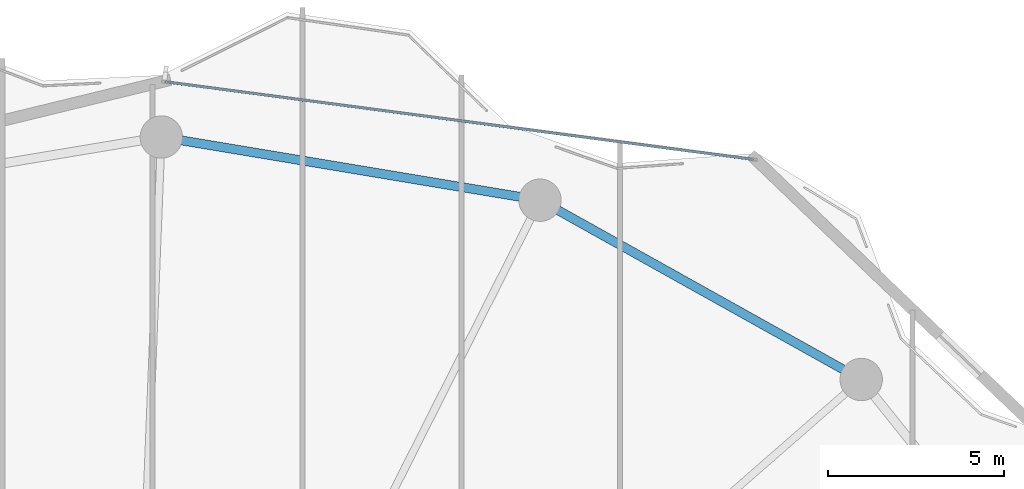
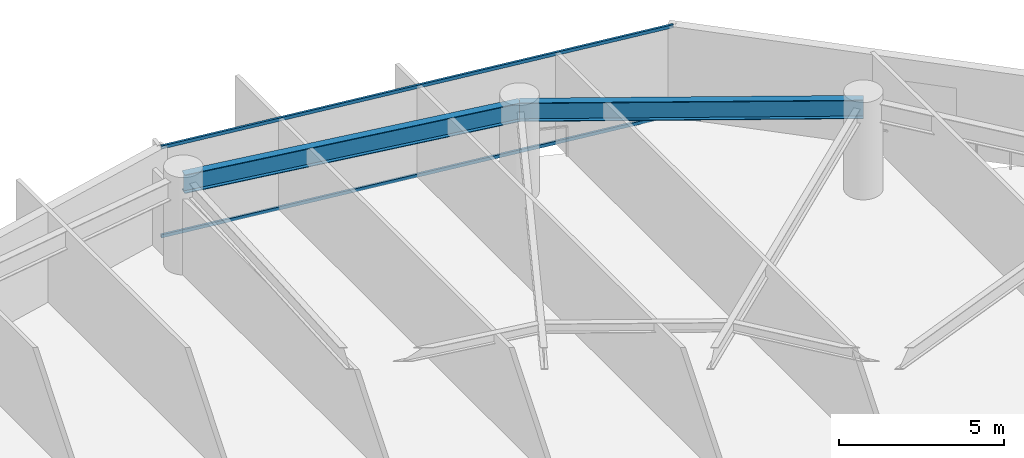
# One storey, part 21 of 31: 2 beams, 2 members, 1 element without a shape of its own.
"""IFC4 building model written with IfcOpenShell, lengths in metres."""

from ifc_helpers import new_model, si_unit, direction, frame, origin, origin_2d, place, context, subcontext, project, spatial, hollow_rectangle, i_section, extrude, material, layer, layer_set, material_profile, profile_set, type_object, element, aggregate, save


model = new_model("IFC4")

# Units and contexts
model_context = context("Model", 3, precision=1e-05, world=origin(), true_north=direction((0.0, 1.0)))
body_context = subcontext(model_context, "Body", "Model", "MODEL_VIEW")
ifc_project = project(units=[si_unit("LENGTHUNIT", "METRE"), si_unit("AREAUNIT", "SQUARE_METRE"), si_unit("VOLUMEUNIT", "CUBIC_METRE"), si_unit("PLANEANGLEUNIT", "RADIAN"), si_unit("MASSUNIT", "GRAM", prefix="KILO")], contexts=[model_context])

# Site, building, storey
site_placement = place(None, origin())
site = spatial("IfcSite", under=ifc_project, at=site_placement, CompositionType="ELEMENT")
building_placement = place(site_placement, origin())
building = spatial("IfcBuilding", under=site, at=building_placement, Name="Kazevale Care Tower and Concert Hall", CompositionType="ELEMENT")
storey_placement = place(building_placement, frame((0.0, 0.0, 117.0)))
storey = spatial("IfcBuildingStorey", under=building, at=storey_placement, Name="L30", CompositionType="ELEMENT", Elevation=117.0)

# Curtain wall, members
ifc_material_1 = material(Name="Aluminium 6063-T6 and Low-E Glass", Category="aluminium")
ifc_layer = layer(ifc_material_1, 0.179931640625)
ifc_layer_set = layer_set([ifc_layer], Name="Aluminium 6063-T6 and Low-E Glass")
curtain_wall_type = type_object("IfcCurtainWallType", Name="Convex Recessed Sunroom Curtain Wall CW-3", PredefinedType="NOTDEFINED", material=ifc_layer_set)
curtain_wall_placement = place(storey_placement, origin())
curtain_wall = element("IfcCurtainWall", 1, at=curtain_wall_placement, inside=storey, type_object=curtain_wall_type, Name="cw:L30:f16", PredefinedType="NOTDEFINED")
ifc_material_2 = material(Name="Aluminium 6063-T6", Category="aluminium")
ifc_material_profile_1 = material_profile(ifc_material_2, hollow_rectangle(XDim=0.074951171875, YDim=0.1201171875, WallThickness=0.00390625, at=origin_2d()), Name="ALU75x120x4")
ifc_profile_set_1 = profile_set([ifc_material_profile_1], Name="Aluminium 6063-T6")
member_type = type_object("IfcMemberType", Name="CW-3 Transom ALU75x120x4", PredefinedType="USERDEFINED", material=ifc_profile_set_1)
member_1_placement = place(storey_placement, frame((45.121337890625, 63.01220703125, 0.03759765625), z_axis=(0.99140485097, -0.130829742311, 0.0), x_axis=(0.130829742311, 0.99140485097, 0.0)))
member_1 = element("IfcMember", 2, at=member_1_placement, type_object=member_type, Name="CW-3 transom 1.1", ObjectType="TRANSOM", PredefinedType="USERDEFINED", context=body_context, shape_type="SweptSolid", body=[
    extrude(hollow_rectangle(XDim=0.074951171875, YDim=0.1201171875, WallThickness=0.00390625, at=origin_2d()), origin(), (0.0, 0.0, 1.0), 16.796630859375),
])
member_2_placement = place(storey_placement, frame((45.121337890625, 63.01220703125, 3.322509765625), z_axis=(0.99140485097, -0.130829742311, 0.0), x_axis=(0.130829742311, 0.99140485097, 0.0)))
member_2 = element("IfcMember", 3, at=member_2_placement, type_object=member_type, Name="CW-3 transom 1.2", ObjectType="TRANSOM", PredefinedType="USERDEFINED", context=body_context, shape_type="SweptSolid", body=[
    extrude(hollow_rectangle(XDim=0.074951171875, YDim=0.1201171875, WallThickness=0.00390625, at=origin_2d()), origin(), (0.0, 0.0, 1.0), 16.796630859375),
])
aggregate(curtain_wall, [member_1, member_2])

# Beams
ifc_material_3 = material(Name="Steel ASTM A572 Gr 50", Category="steel")
ifc_material_profile_2 = material_profile(ifc_material_3, i_section(OverallWidth=0.256103515625, OverallDepth=0.693115234375, WebThickness=0.014404296875, FlangeThickness=0.023681640625, at=origin_2d()), Name="W690x170")
ifc_profile_set_2 = profile_set([ifc_material_profile_2], Name="Steel ASTM A572 Gr 50")
beam_type = type_object("IfcBeamType", Name="Waist Ring Beam W690x170", PredefinedType="BEAM", material=ifc_profile_set_2)
beam_1_placement = place(storey_placement, frame((64.830078125, 54.580078125, 3.013427734375), z_axis=(-0.873168720251, 0.487418081297, 0.0), x_axis=(-0.487418081297, -0.873168720251, 0.0)))
element("IfcBeam", 4, at=beam_1_placement, inside=storey, type_object=beam_type, Name="beam:L30:ring:03", PredefinedType="BEAM", context=body_context, shape_type="SweptSolid", body=[
    extrude(i_section(OverallWidth=0.256103515625, OverallDepth=0.693115234375, WebThickness=0.014404296875, FlangeThickness=0.023681640625, at=origin_2d()), origin(), (0.0, 0.0, 1.0), 10.421875),
])
beam_2_placement = place(storey_placement, frame((55.72998046875, 59.659912109375, 3.013427734375), z_axis=(-0.986368436187, 0.164551840139, 0.0), x_axis=(-0.164551840139, -0.986368436187, 0.0)))
element("IfcBeam", 5, at=beam_2_placement, inside=storey, type_object=beam_type, Name="beam:L30:ring:04", PredefinedType="BEAM", context=body_context, shape_type="SweptSolid", body=[
    extrude(i_section(OverallWidth=0.256103515625, OverallDepth=0.693115234375, WebThickness=0.014404296875, FlangeThickness=0.023681640625, at=origin_2d()), origin(), (0.0, 0.0, 1.0), 10.878173828125),
])

save(model, "model.ifc")
